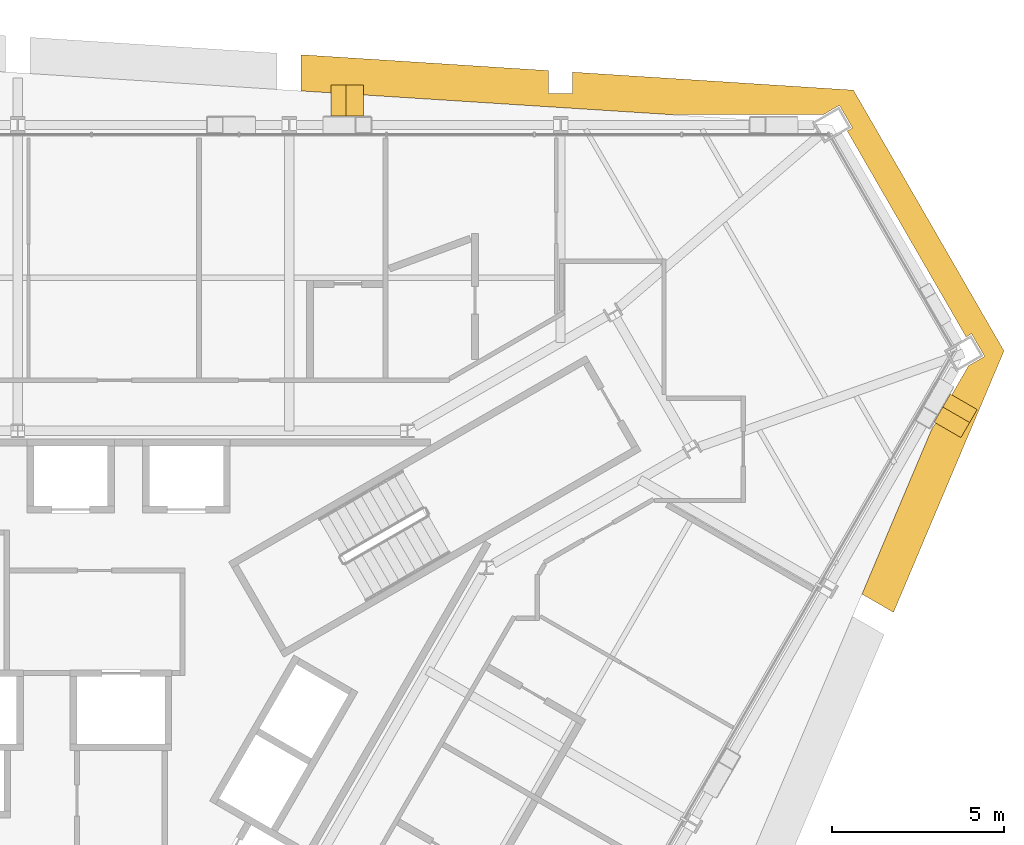
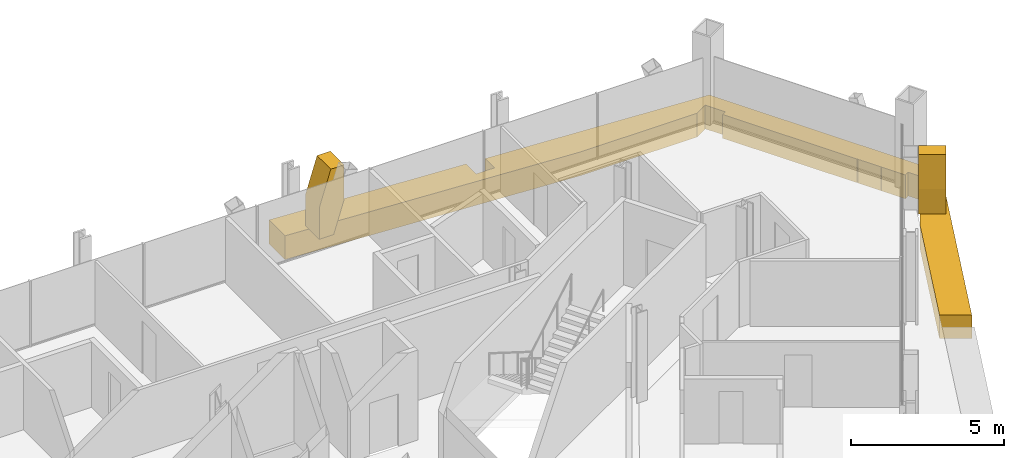
# One storey, part 17 of 17: 3 coverings.
"""IFC4 building model written with IfcOpenShell, lengths in metres."""

from ifc_helpers import new_model, si_unit, direction, frame, origin, place, context, subcontext, project, spatial, polyline, outline, extrude, material, layer, layer_set, type_object, element, save


model = new_model("IFC4")

# Units and contexts
model_context = context("Model", 3, precision=1e-05, world=origin(), true_north=direction((0.0, 1.0)))
body_context = subcontext(model_context, "Body", "Model", "MODEL_VIEW")
ifc_project = project(units=[si_unit("LENGTHUNIT", "METRE"), si_unit("AREAUNIT", "SQUARE_METRE"), si_unit("VOLUMEUNIT", "CUBIC_METRE"), si_unit("PLANEANGLEUNIT", "RADIAN"), si_unit("MASSUNIT", "GRAM", prefix="KILO")], contexts=[model_context])

# Site, building, storey
site_placement = place(None, origin())
site = spatial("IfcSite", under=ifc_project, at=site_placement, CompositionType="ELEMENT")
building_placement = place(site_placement, origin())
building = spatial("IfcBuilding", under=site, at=building_placement, Name="Verrane Prism Tower", CompositionType="ELEMENT")
storey_placement = place(building_placement, frame((0.0, 0.0, 96.39990234375)))
storey = spatial("IfcBuildingStorey", under=building, at=storey_placement, Name="L22", CompositionType="ELEMENT", Elevation=96.39990234375)

# Coverings
ifc_material_1 = material(Name="Warm limestone cladding", Category="masonry")
ifc_layer_1 = layer(ifc_material_1, 0.89990234375)
ifc_layer_set_1 = layer_set([ifc_layer_1], Name="Stone brace fin 900")
covering_type_1 = type_object("IfcCoveringType", Name="Stone brace fin 900", PredefinedType="CLADDING", material=ifc_layer_set_1)
for number, where, z_axis, x_axis, name in (
    (1, (9.10986328125, 18.7939453125, 0.0), (0.0, 0.0, 1.0), (1.0, 0.0, 0.0), "Stone brace fin N2 L22"),
    (2, (27.498779296875, 10.041748046875, 0.0), (0.0, 0.0, 1.0), (-0.500709319609, -0.865615490421, 0.0), "Stone brace fin SE6 L22"),
):
    element("IfcCovering", number, at=place(storey_placement, frame(where, z_axis=z_axis, x_axis=x_axis)), inside=storey, type_object=covering_type_1, Name=name, PredefinedType="CLADDING", context=body_context, shape_type="SweptSolid", body=[
        extrude(outline(polyline([(0.94189453125, 2.650146484375), (0.43603515625, 2.650146484375), (0.0, 1.257568359375), (0.0, 0.0), (0.545654296875, 0.0), (0.94189453125, 1.265625), (0.94189453125, 2.650146484375)])), frame((0.0, 0.449951171875, 0.0), z_axis=(0.0, -1.0, 0.0), x_axis=(1.0, 0.0, 0.0)), (0.0, 0.0, 1.0), 0.89990234375),
    ])
ifc_material_2 = material(Name="Warm limestone cladding", Category="masonry")
ifc_layer_2 = layer(ifc_material_2, 0.449951171875)
ifc_layer_set_2 = layer_set([ifc_layer_2], Name="Stone spandrel band 450")
covering_type_2 = type_object("IfcCoveringType", Name="Stone spandrel band 450", PredefinedType="CLADDING", material=ifc_layer_set_2)
covering_placement = place(storey_placement, frame((0.0, 0.0, -0.949951171875)))
element("IfcCovering", 3, at=covering_placement, inside=storey, type_object=covering_type_2, Name="Stone spandrel band L22 part 2", PredefinedType="CLADDING", context=body_context, shape_type="SweptSolid", body=[
    extrude(outline(polyline([(8.237548828125, 19.07763671875), (18.9775390625, 18.389892578125), (23.419677734375, 18.389892578125), (23.8857421875, 18.6591796875), (24.265625, 18.0009765625), (24.11181640625, 17.912109375), (26.6572265625, 13.503662109375), (26.67626953125, 13.50048828125), (26.672607421875, 13.476806640625), (26.70654296875, 13.41796875), (26.7080078125, 13.418701171875), (26.73974609375, 13.364013671875), (26.73828125, 13.363037109375), (27.111083984375, 12.71728515625), (27.113037109375, 12.71826171875), (27.165771484375, 12.62744140625), (27.163818359375, 12.626220703125), (27.254638671875, 12.468994140625), (27.256591796875, 12.47021484375), (27.288330078125, 12.415283203125), (27.2861328125, 12.4140625), (27.567138671875, 11.927490234375), (27.7255859375, 12.01904296875), (28.105712890625, 11.36083984375), (27.638427734375, 11.091064453125), (26.55078125, 9.20751953125), (24.540283203125, 4.451416015625), (25.456787109375, 3.92236328125), (28.66845703125, 11.52001953125), (24.291015625, 19.101806640625), (16.125244140625, 19.624755859375), (16.125244140625, 19.010009765625), (15.42529296875, 19.010009765625), (15.42529296875, 19.669677734375), (8.237548828125, 20.1298828125), (8.237548828125, 19.07763671875)])), origin(), (0.0, 0.0, 1.0), 0.949951171875),
])

save(model, "model.ifc")
